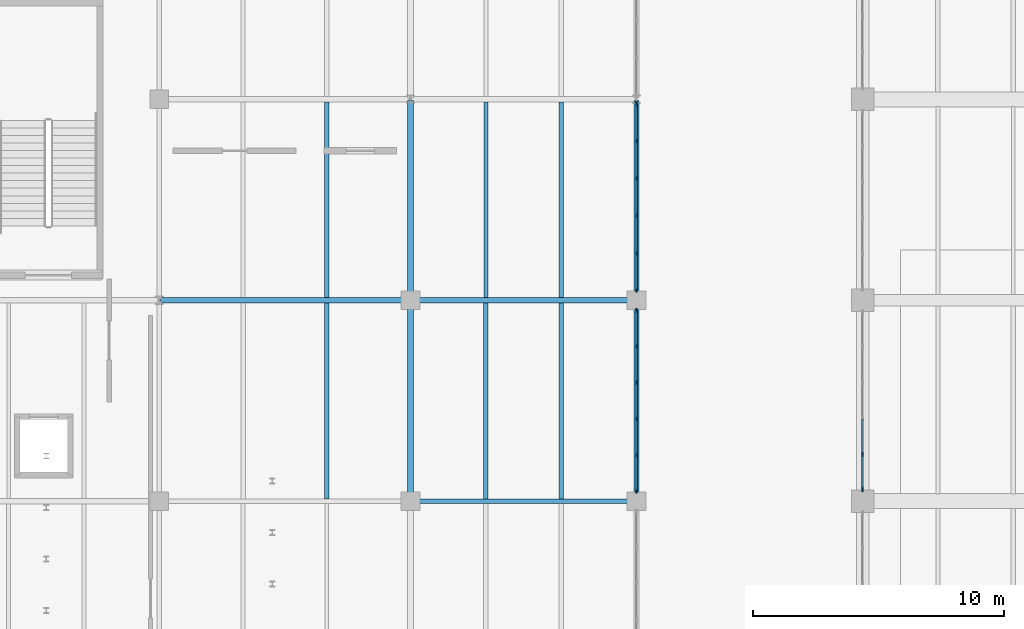
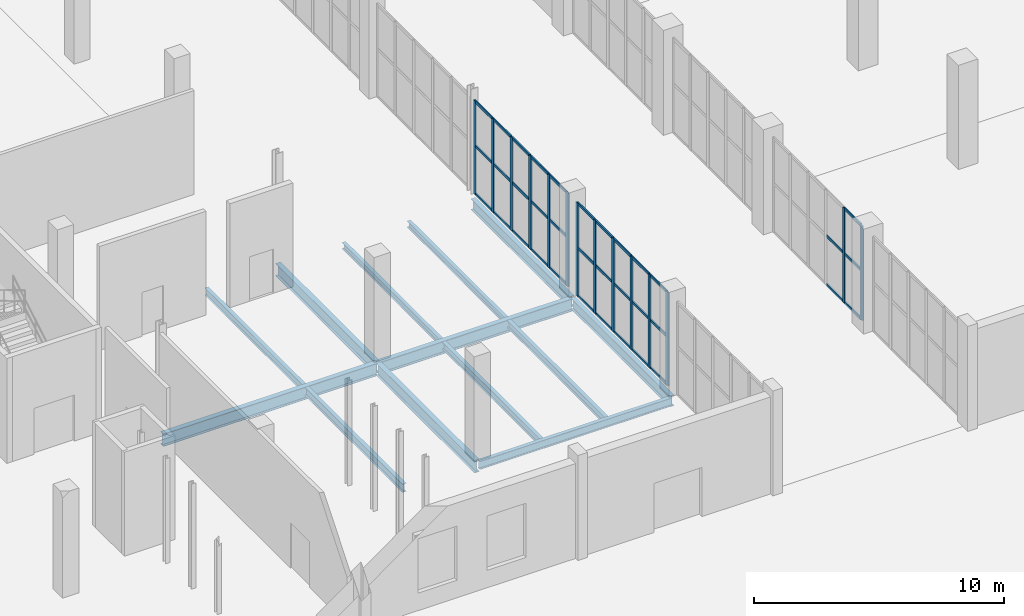
# One storey, part 31 of 103: 49 members, 13 beams, 3 elements without a shape of their own.
"""IFC4 building model written with IfcOpenShell, lengths in metres."""

from ifc_helpers import new_model, si_unit, direction, frame, origin, origin_2d, place, context, subcontext, project, spatial, rectangle, i_section, extrude, material, layer, layer_set, material_profile, profile_set, type_object, element, aggregate, save


model = new_model("IFC4")

# Units and contexts
model_context = context("Model", 3, precision=1e-05, world=origin(), true_north=direction((0.0, 1.0)))
body_context = subcontext(model_context, "Body", "Model", "MODEL_VIEW")
ifc_project = project(units=[si_unit("LENGTHUNIT", "METRE"), si_unit("AREAUNIT", "SQUARE_METRE"), si_unit("VOLUMEUNIT", "CUBIC_METRE"), si_unit("PLANEANGLEUNIT", "RADIAN"), si_unit("MASSUNIT", "GRAM", prefix="KILO")], contexts=[model_context])

# Site, building, storey
site_placement = place(None, origin())
site = spatial("IfcSite", under=ifc_project, at=site_placement, CompositionType="ELEMENT")
building_placement = place(site_placement, origin())
building = spatial("IfcBuilding", under=site, at=building_placement, Name="Marnock Terrace Opera House", CompositionType="ELEMENT")
storey_placement = place(building_placement, origin())
storey = spatial("IfcBuildingStorey", under=building, at=storey_placement, Name="L00", CompositionType="ELEMENT", Elevation=0.0)

# Beams
ifc_material_1 = material(Name="Steel Grade 350 (AS/NZS 3679.1)", Category="steel")
ifc_material_profile_1 = material_profile(ifc_material_1, i_section(OverallWidth=0.177978515625, OverallDepth=0.402587890625, WebThickness=0.007568359375, FlangeThickness=0.010986328125, FilletRadius=0.011474609375, at=origin_2d()))
ifc_profile_set_1 = profile_set([ifc_material_profile_1], Name="Steel Grade 350 (AS/NZS 3679.1)")
beam_type_1 = type_object("IfcBeamType", Name="BM-GIRD-410", PredefinedType="BEAM", material=ifc_profile_set_1)
beam_1_placement = place(storey_placement, frame((37.050048828125, 16.0, -0.501220703125), z_axis=(1.0, 0.0, 0.0), x_axis=(0.0, 1.0, 0.0)))
element("IfcBeam", 1, at=beam_1_placement, inside=storey, type_object=beam_type_1, Name="L00 girder (37.0..46.0, Y=16.0)", PredefinedType="BEAM", context=body_context, shape_type="SweptSolid", body=[
    extrude(i_section(OverallWidth=0.177978515625, OverallDepth=0.402587890625, WebThickness=0.007568359375, FlangeThickness=0.010986328125, FilletRadius=0.011474609375, at=origin_2d()), origin(), (0.0, 0.0, 1.0), 8.89990234375),
])
ifc_material_profile_2 = material_profile(ifc_material_1, i_section(OverallWidth=0.208984375, OverallDepth=0.528076171875, WebThickness=0.009521484375, FlangeThickness=0.01318359375, FilletRadius=0.013916015625, at=origin_2d()))
ifc_profile_set_2 = profile_set([ifc_material_profile_2], Name="Steel Grade 350 (AS/NZS 3679.1)")
beam_type_2 = type_object("IfcBeamType", Name="BM-GIRD-530B", PredefinedType="BEAM", material=ifc_profile_set_2)
for number, where, z_axis, x_axis, name in (
    (2, (46.0, 16.050048828125, -0.56396484375), (0.0, 1.0, 0.0), (-1.0, 0.0, 0.0), "L00 girder (X=46.0, 16.0..24.0)"),
    (3, (46.0, 24.050048828125, -0.56396484375), (0.0, 1.0, 0.0), (-1.0, 0.0, 0.0), "L00 girder (X=46.0, 24.0..32.0)"),
):
    element("IfcBeam", number, at=place(storey_placement, frame(where, z_axis=z_axis, x_axis=x_axis)), inside=storey, type_object=beam_type_2, Name=name, PredefinedType="BEAM", context=body_context, shape_type="SweptSolid", body=[
        extrude(i_section(OverallWidth=0.208984375, OverallDepth=0.528076171875, WebThickness=0.009521484375, FlangeThickness=0.01318359375, FilletRadius=0.013916015625, at=origin_2d()), origin(), (0.0, 0.0, 1.0), 7.89990234375),
    ])
ifc_material_profile_3 = material_profile(ifc_material_1, i_section(OverallWidth=0.22900390625, OverallDepth=0.611572265625, WebThickness=0.011962890625, FlangeThickness=0.01953125, FilletRadius=0.013916015625, at=origin_2d()))
ifc_profile_set_3 = profile_set([ifc_material_profile_3], Name="Steel Grade 350 (AS/NZS 3679.1)")
beam_type_3 = type_object("IfcBeamType", Name="BM-GIRD-610A", PredefinedType="BEAM", material=ifc_profile_set_3)
beam_2_placement = place(storey_placement, frame((27.050048828125, 24.0, -0.605712890625), z_axis=(1.0, 0.0, 0.0), x_axis=(0.0, 1.0, 0.0)))
element("IfcBeam", 4, at=beam_2_placement, inside=storey, type_object=beam_type_3, Name="L00 girder (27.0..37.0, Y=24.0)", PredefinedType="BEAM", context=body_context, shape_type="SweptSolid", body=[
    extrude(i_section(OverallWidth=0.22900390625, OverallDepth=0.611572265625, WebThickness=0.011962890625, FlangeThickness=0.01953125, FilletRadius=0.013916015625, at=origin_2d()), origin(), (0.0, 0.0, 1.0), 9.89990234375),
])
beam_3_placement = place(storey_placement, frame((37.050048828125, 24.0, -0.605712890625), z_axis=(1.0, 0.0, 0.0), x_axis=(0.0, 1.0, 0.0)))
element("IfcBeam", 5, at=beam_3_placement, inside=storey, type_object=beam_type_3, Name="L00 girder (37.0..46.0, Y=24.0)", PredefinedType="BEAM", context=body_context, shape_type="SweptSolid", body=[
    extrude(i_section(OverallWidth=0.22900390625, OverallDepth=0.611572265625, WebThickness=0.011962890625, FlangeThickness=0.01953125, FilletRadius=0.013916015625, at=origin_2d()), origin(), (0.0, 0.0, 1.0), 8.89990234375),
])
ifc_material_profile_4 = material_profile(ifc_material_1, i_section(OverallWidth=0.22802734375, OverallDepth=0.60205078125, WebThickness=0.010498046875, FlangeThickness=0.014892578125, FilletRadius=0.013916015625, at=origin_2d()))
ifc_profile_set_4 = profile_set([ifc_material_profile_4], Name="Steel Grade 350 (AS/NZS 3679.1)")
beam_type_4 = type_object("IfcBeamType", Name="BM-GIRD-610C", PredefinedType="BEAM", material=ifc_profile_set_4)
for number, where, z_axis, x_axis, name in (
    (6, (37.0, 16.050048828125, -0.60107421875), (0.0, 1.0, 0.0), (-1.0, 0.0, 0.0), "L00 girder (X=37.0, 16.0..24.0)"),
    (7, (37.0, 24.050048828125, -0.60107421875), (0.0, 1.0, 0.0), (-1.0, 0.0, 0.0), "L00 girder (X=37.0, 24.0..32.0)"),
):
    element("IfcBeam", number, at=place(storey_placement, frame(where, z_axis=z_axis, x_axis=x_axis)), inside=storey, type_object=beam_type_4, Name=name, PredefinedType="BEAM", context=body_context, shape_type="SweptSolid", body=[
        extrude(i_section(OverallWidth=0.22802734375, OverallDepth=0.60205078125, WebThickness=0.010498046875, FlangeThickness=0.014892578125, FilletRadius=0.013916015625, at=origin_2d()), origin(), (0.0, 0.0, 1.0), 7.89990234375),
    ])
ifc_material_profile_5 = material_profile(ifc_material_1, i_section(OverallWidth=0.166015625, OverallDepth=0.30712890625, WebThickness=0.006591796875, FlangeThickness=0.01171875, FilletRadius=0.011474609375, at=origin_2d()))
ifc_profile_set_5 = profile_set([ifc_material_profile_5], Name="Steel Grade 350 (AS/NZS 3679.1)")
beam_type_5 = type_object("IfcBeamType", Name="BM-JOIST-310A", PredefinedType="JOIST", material=ifc_profile_set_5)
for number, where, z_axis, x_axis, name in (
    (8, (40.0, 24.109619140625, -0.45361328125), (0.0, 1.0, 0.0), (-1.0, 0.0, 0.0), "L00 secondary joist 4.3.1"),
    (9, (43.0, 24.109619140625, -0.45361328125), (0.0, 1.0, 0.0), (-1.0, 0.0, 0.0), "L00 secondary joist 4.3.2"),
):
    element("IfcBeam", number, at=place(storey_placement, frame(where, z_axis=z_axis, x_axis=x_axis)), inside=storey, type_object=beam_type_5, Name=name, PredefinedType="JOIST", context=body_context, shape_type="SweptSolid", body=[
        extrude(i_section(OverallWidth=0.166015625, OverallDepth=0.30712890625, WebThickness=0.006591796875, FlangeThickness=0.01171875, FilletRadius=0.011474609375, at=origin_2d()), origin(), (0.0, 0.0, 1.0), 7.781494140625),
    ])
ifc_material_profile_6 = material_profile(ifc_material_1, i_section(OverallWidth=0.172119140625, OverallDepth=0.358642578125, WebThickness=0.008056640625, FlangeThickness=0.012939453125, FilletRadius=0.011474609375, at=origin_2d()))
ifc_profile_set_6 = profile_set([ifc_material_profile_6], Name="Steel Grade 350 (AS/NZS 3679.1)")
beam_type_6 = type_object("IfcBeamType", Name="BM-JOIST-360", PredefinedType="JOIST", material=ifc_profile_set_6)
beam_4_placement = place(storey_placement, frame((33.666748046875, 24.109619140625, -0.479248046875), z_axis=(0.0, 1.0, 0.0), x_axis=(-1.0, 0.0, 0.0)))
element("IfcBeam", 10, at=beam_4_placement, inside=storey, type_object=beam_type_6, Name="L00 secondary joist 3.3.2", PredefinedType="JOIST", context=body_context, shape_type="SweptSolid", body=[
    extrude(i_section(OverallWidth=0.172119140625, OverallDepth=0.358642578125, WebThickness=0.008056640625, FlangeThickness=0.012939453125, FilletRadius=0.011474609375, at=origin_2d()), origin(), (0.0, 0.0, 1.0), 7.781494140625),
])
for number, where, z_axis, x_axis, name in (
    (11, (40.0, 16.083984375, -0.479248046875), (0.0, 1.0, 0.0), (-1.0, 0.0, 0.0), "L00 secondary joist 4.2.1"),
    (12, (43.0, 16.083984375, -0.479248046875), (0.0, 1.0, 0.0), (-1.0, 0.0, 0.0), "L00 secondary joist 4.2.2"),
):
    element("IfcBeam", number, at=place(storey_placement, frame(where, z_axis=z_axis, x_axis=x_axis)), inside=storey, type_object=beam_type_6, Name=name, PredefinedType="JOIST", context=body_context, shape_type="SweptSolid", body=[
        extrude(i_section(OverallWidth=0.172119140625, OverallDepth=0.358642578125, WebThickness=0.008056640625, FlangeThickness=0.012939453125, FilletRadius=0.011474609375, at=origin_2d()), origin(), (0.0, 0.0, 1.0), 7.806396484375),
    ])
ifc_material_profile_7 = material_profile(ifc_material_1, i_section(OverallWidth=0.177978515625, OverallDepth=0.406494140625, WebThickness=0.0078125, FlangeThickness=0.0126953125, FilletRadius=0.011474609375, at=origin_2d()))
ifc_profile_set_7 = profile_set([ifc_material_profile_7], Name="Steel Grade 350 (AS/NZS 3679.1)")
beam_type_7 = type_object("IfcBeamType", Name="BM-JOIST-410", PredefinedType="JOIST", material=ifc_profile_set_7)
beam_5_placement = place(storey_placement, frame((33.666748046875, 16.083984375, -0.503173828125), z_axis=(0.0, 1.0, 0.0), x_axis=(-1.0, 0.0, 0.0)))
element("IfcBeam", 13, at=beam_5_placement, inside=storey, type_object=beam_type_7, Name="L00 secondary joist 3.2.2", PredefinedType="JOIST", context=body_context, shape_type="SweptSolid", body=[
    extrude(i_section(OverallWidth=0.177978515625, OverallDepth=0.406494140625, WebThickness=0.0078125, FlangeThickness=0.0126953125, FilletRadius=0.011474609375, at=origin_2d()), origin(), (0.0, 0.0, 1.0), 7.806396484375),
])

# Curtain wall, members
ifc_material_2 = material(Name="Anodised architectural bronze aluminium framing", Category="aluminium")
ifc_layer_1 = layer(ifc_material_2, 0.159912109375)
ifc_layer_set_1 = layer_set([ifc_layer_1], Name="Anodised architectural bronze aluminium framing")
curtain_wall_type_1 = type_object("IfcCurtainWallType", Name="CW-FOYER-80x51", PredefinedType="NOTDEFINED", material=ifc_layer_set_1)
curtain_wall_1_placement = place(storey_placement, origin())
curtain_wall_1 = element("IfcCurtainWall", 14, at=curtain_wall_1_placement, inside=storey, type_object=curtain_wall_type_1, Name="L00 glazed Beaux-Arts colonnade curtain wall CW-V1W-L00-02", PredefinedType="NOTDEFINED")
ifc_material_profile_8 = material_profile(ifc_material_2, rectangle(XDim=0.06494140625, YDim=0.179931640625, at=origin_2d()))
ifc_profile_set_8 = profile_set([ifc_material_profile_8], Name="Anodised architectural bronze aluminium framing")
member_type_1 = type_object("IfcMemberType", Name="CWM-65x180", PredefinedType="MULLION", material=ifc_profile_set_8)
member_1_placement = place(storey_placement, frame((55.0, 16.47607421875, 0.0), z_axis=(0.0, 0.0, 1.0), x_axis=(-1.0, 0.0, 0.0)))
member_1 = element("IfcMember", 15, at=member_1_placement, type_object=member_type_1, Name="CW-73 mullion 1", PredefinedType="MULLION", context=body_context, shape_type="SweptSolid", body=[
    extrude(rectangle(XDim=0.06494140625, YDim=0.179931640625, at=origin_2d()), origin(), (0.0, 0.0, 1.0), 4.632568359375),
])
member_2_placement = place(storey_placement, frame((55.0, 17.86767578125, 0.0), z_axis=(0.0, 0.0, 1.0), x_axis=(-1.0, 0.0, 0.0)))
member_2 = element("IfcMember", 16, at=member_2_placement, type_object=member_type_1, Name="CW-73 mullion 2", PredefinedType="MULLION", context=body_context, shape_type="SweptSolid", body=[
    extrude(rectangle(XDim=0.06494140625, YDim=0.179931640625, at=origin_2d()), origin(), (0.0, 0.0, 1.0), 4.632568359375),
])

ifc_layer_2 = layer(ifc_material_2, 0.159912109375)
ifc_layer_set_2 = layer_set([ifc_layer_2], Name="Anodised architectural bronze aluminium framing")
curtain_wall_type_2 = type_object("IfcCurtainWallType", Name="CW-COURT-80x51", PredefinedType="NOTDEFINED", material=ifc_layer_set_2)
curtain_wall_2_placement = place(storey_placement, origin())
curtain_wall_2 = element("IfcCurtainWall", 17, at=curtain_wall_2_placement, inside=storey, type_object=curtain_wall_type_2, Name="L00 glazed Beaux-Arts colonnade curtain wall CW-V3E-L00-02", PredefinedType="NOTDEFINED")
member_3_placement = place(storey_placement, frame((46.0, 16.40087890625, 0.0), z_axis=(0.0, 0.0, 1.0), x_axis=(-1.0, 0.0, 0.0)))
member_3 = element("IfcMember", 18, at=member_3_placement, type_object=member_type_1, Name="CW-114 mullion 1", PredefinedType="MULLION", context=body_context, shape_type="SweptSolid", body=[
    extrude(rectangle(XDim=0.06494140625, YDim=0.179931640625, at=origin_2d()), origin(), (0.0, 0.0, 1.0), 4.56201171875),
])
member_4_placement = place(storey_placement, frame((46.0, 17.822509765625, 0.0), z_axis=(0.0, 0.0, 1.0), x_axis=(-1.0, 0.0, 0.0)))
member_4 = element("IfcMember", 19, at=member_4_placement, type_object=member_type_1, Name="CW-114 mullion 2", PredefinedType="MULLION", context=body_context, shape_type="SweptSolid", body=[
    extrude(rectangle(XDim=0.06494140625, YDim=0.179931640625, at=origin_2d()), origin(), (0.0, 0.0, 1.0), 4.56201171875),
])
member_5_placement = place(storey_placement, frame((46.0, 19.274169921875, 0.0), z_axis=(0.0, 0.0, 1.0), x_axis=(-1.0, 0.0, 0.0)))
member_5 = element("IfcMember", 20, at=member_5_placement, type_object=member_type_1, Name="CW-114 mullion 3", PredefinedType="MULLION", context=body_context, shape_type="SweptSolid", body=[
    extrude(rectangle(XDim=0.06494140625, YDim=0.179931640625, at=origin_2d()), origin(), (0.0, 0.0, 1.0), 4.56201171875),
])
member_6_placement = place(storey_placement, frame((46.0, 20.725830078125, 0.0), z_axis=(0.0, 0.0, 1.0), x_axis=(-1.0, 0.0, 0.0)))
member_6 = element("IfcMember", 21, at=member_6_placement, type_object=member_type_1, Name="CW-114 mullion 4", PredefinedType="MULLION", context=body_context, shape_type="SweptSolid", body=[
    extrude(rectangle(XDim=0.06494140625, YDim=0.179931640625, at=origin_2d()), origin(), (0.0, 0.0, 1.0), 4.56201171875),
])
member_7_placement = place(storey_placement, frame((46.0, 22.177490234375, 0.0), z_axis=(0.0, 0.0, 1.0), x_axis=(-1.0, 0.0, 0.0)))
member_7 = element("IfcMember", 22, at=member_7_placement, type_object=member_type_1, Name="CW-114 mullion 5", PredefinedType="MULLION", context=body_context, shape_type="SweptSolid", body=[
    extrude(rectangle(XDim=0.06494140625, YDim=0.179931640625, at=origin_2d()), origin(), (0.0, 0.0, 1.0), 4.56201171875),
])
member_8_placement = place(storey_placement, frame((46.0, 23.59912109375, 0.0), z_axis=(0.0, 0.0, 1.0), x_axis=(-1.0, 0.0, 0.0)))
member_8 = element("IfcMember", 23, at=member_8_placement, type_object=member_type_1, Name="CW-114 mullion 6", PredefinedType="MULLION", context=body_context, shape_type="SweptSolid", body=[
    extrude(rectangle(XDim=0.06494140625, YDim=0.179931640625, at=origin_2d()), origin(), (0.0, 0.0, 1.0), 4.56201171875),
])

curtain_wall_3_placement = place(storey_placement, origin())
curtain_wall_3 = element("IfcCurtainWall", 24, at=curtain_wall_3_placement, inside=storey, type_object=curtain_wall_type_2, Name="L00 glazed Beaux-Arts colonnade curtain wall CW-V3E-L00-03", PredefinedType="NOTDEFINED")
member_9_placement = place(storey_placement, frame((46.0, 24.40087890625, 0.0), z_axis=(0.0, 0.0, 1.0), x_axis=(-1.0, 0.0, 0.0)))
member_9 = element("IfcMember", 25, at=member_9_placement, type_object=member_type_1, Name="CW-114 mullion 1", PredefinedType="MULLION", context=body_context, shape_type="SweptSolid", body=[
    extrude(rectangle(XDim=0.06494140625, YDim=0.179931640625, at=origin_2d()), origin(), (0.0, 0.0, 1.0), 4.56201171875),
])
member_10_placement = place(storey_placement, frame((46.0, 25.864990234375, 0.0), z_axis=(0.0, 0.0, 1.0), x_axis=(-1.0, 0.0, 0.0)))
member_10 = element("IfcMember", 26, at=member_10_placement, type_object=member_type_1, Name="CW-114 mullion 2", PredefinedType="MULLION", context=body_context, shape_type="SweptSolid", body=[
    extrude(rectangle(XDim=0.06494140625, YDim=0.179931640625, at=origin_2d()), origin(), (0.0, 0.0, 1.0), 4.56201171875),
])
member_11_placement = place(storey_placement, frame((46.0, 27.358642578125, 0.0), z_axis=(0.0, 0.0, 1.0), x_axis=(-1.0, 0.0, 0.0)))
member_11 = element("IfcMember", 27, at=member_11_placement, type_object=member_type_1, Name="CW-114 mullion 3", PredefinedType="MULLION", context=body_context, shape_type="SweptSolid", body=[
    extrude(rectangle(XDim=0.06494140625, YDim=0.179931640625, at=origin_2d()), origin(), (0.0, 0.0, 1.0), 4.56201171875),
])
member_12_placement = place(storey_placement, frame((46.0, 28.8525390625, 0.0), z_axis=(0.0, 0.0, 1.0), x_axis=(-1.0, 0.0, 0.0)))
member_12 = element("IfcMember", 28, at=member_12_placement, type_object=member_type_1, Name="CW-114 mullion 4", PredefinedType="MULLION", context=body_context, shape_type="SweptSolid", body=[
    extrude(rectangle(XDim=0.06494140625, YDim=0.179931640625, at=origin_2d()), origin(), (0.0, 0.0, 1.0), 4.56201171875),
])
member_13_placement = place(storey_placement, frame((46.0, 30.346435546875, 0.0), z_axis=(0.0, 0.0, 1.0), x_axis=(-1.0, 0.0, 0.0)))
member_13 = element("IfcMember", 29, at=member_13_placement, type_object=member_type_1, Name="CW-114 mullion 5", PredefinedType="MULLION", context=body_context, shape_type="SweptSolid", body=[
    extrude(rectangle(XDim=0.06494140625, YDim=0.179931640625, at=origin_2d()), origin(), (0.0, 0.0, 1.0), 4.56201171875),
])
member_14_placement = place(storey_placement, frame((46.0, 31.810302734375, 0.0), z_axis=(0.0, 0.0, 1.0), x_axis=(-1.0, 0.0, 0.0)))
member_14 = element("IfcMember", 30, at=member_14_placement, type_object=member_type_1, Name="CW-114 mullion 6", PredefinedType="MULLION", context=body_context, shape_type="SweptSolid", body=[
    extrude(rectangle(XDim=0.06494140625, YDim=0.179931640625, at=origin_2d()), origin(), (0.0, 0.0, 1.0), 4.56201171875),
])

# Member
ifc_material_profile_9 = material_profile(ifc_material_2, rectangle(XDim=0.06005859375, YDim=0.1298828125, at=origin_2d()))
ifc_profile_set_9 = profile_set([ifc_material_profile_9], Name="Anodised architectural bronze aluminium framing")
member_type_2 = type_object("IfcMemberType", Name="CWT-60x130", PredefinedType="USERDEFINED", material=ifc_profile_set_9)
member_15_placement = place(storey_placement, frame((55.0, 16.506103515625, 0.030029296875), z_axis=(0.0, 1.0, 0.0), x_axis=(-1.0, 0.0, 0.0)))
member_15 = element("IfcMember", 31, at=member_15_placement, type_object=member_type_2, Name="CW-73 transom 1.1", ObjectType="TRANSOM", PredefinedType="USERDEFINED", context=body_context, shape_type="SweptSolid", body=[
    extrude(rectangle(XDim=0.06005859375, YDim=0.1298828125, at=origin_2d()), origin(), (0.0, 0.0, 1.0), 1.33154296875),
])

member_16_placement = place(storey_placement, frame((55.0, 16.506103515625, 2.408935546875), z_axis=(0.0, 1.0, 0.0), x_axis=(-1.0, 0.0, 0.0)))
member_16 = element("IfcMember", 32, at=member_16_placement, type_object=member_type_2, Name="CW-73 transom 1.2", ObjectType="TRANSOM", PredefinedType="USERDEFINED", context=body_context, shape_type="SweptSolid", body=[
    extrude(rectangle(XDim=0.06005859375, YDim=0.1298828125, at=origin_2d()), origin(), (0.0, 0.0, 1.0), 1.33154296875),
])

member_17_placement = place(storey_placement, frame((55.0, 16.506103515625, 4.6025390625), z_axis=(0.0, 1.0, 0.0), x_axis=(-1.0, 0.0, 0.0)))
member_17 = element("IfcMember", 33, at=member_17_placement, type_object=member_type_2, Name="CW-73 transom 1.3", ObjectType="TRANSOM", PredefinedType="USERDEFINED", context=body_context, shape_type="SweptSolid", body=[
    extrude(rectangle(XDim=0.06005859375, YDim=0.1298828125, at=origin_2d()), origin(), (0.0, 0.0, 1.0), 1.33154296875),
])

member_18_placement = place(storey_placement, frame((55.0, 17.897705078125, 0.030029296875), z_axis=(0.0, 1.0, 0.0), x_axis=(-1.0, 0.0, 0.0)))
member_18 = element("IfcMember", 34, at=member_18_placement, type_object=member_type_2, Name="CW-73 transom 2.1", ObjectType="TRANSOM", PredefinedType="USERDEFINED", context=body_context, shape_type="SweptSolid", body=[
    extrude(rectangle(XDim=0.06005859375, YDim=0.1298828125, at=origin_2d()), origin(), (0.0, 0.0, 1.0), 1.361572265625),
])

member_19_placement = place(storey_placement, frame((55.0, 17.897705078125, 2.408935546875), z_axis=(0.0, 1.0, 0.0), x_axis=(-1.0, 0.0, 0.0)))
member_19 = element("IfcMember", 35, at=member_19_placement, type_object=member_type_2, Name="CW-73 transom 2.2", ObjectType="TRANSOM", PredefinedType="USERDEFINED", context=body_context, shape_type="SweptSolid", body=[
    extrude(rectangle(XDim=0.06005859375, YDim=0.1298828125, at=origin_2d()), origin(), (0.0, 0.0, 1.0), 1.361572265625),
])

aggregate(curtain_wall_1, [member_1, member_2, member_15, member_16, member_17, member_18, member_19])

member_20_placement = place(storey_placement, frame((46.0, 16.430908203125, 0.030029296875), z_axis=(0.0, 1.0, 0.0), x_axis=(-1.0, 0.0, 0.0)))
member_20 = element("IfcMember", 36, at=member_20_placement, type_object=member_type_2, Name="CW-114 transom 1.1", ObjectType="TRANSOM", PredefinedType="USERDEFINED", context=body_context, shape_type="SweptSolid", body=[
    extrude(rectangle(XDim=0.06005859375, YDim=0.1298828125, at=origin_2d()), origin(), (0.0, 0.0, 1.0), 1.361572265625),
])

member_21_placement = place(storey_placement, frame((46.0, 16.430908203125, 2.372314453125), z_axis=(0.0, 1.0, 0.0), x_axis=(-1.0, 0.0, 0.0)))
member_21 = element("IfcMember", 37, at=member_21_placement, type_object=member_type_2, Name="CW-114 transom 1.2", ObjectType="TRANSOM", PredefinedType="USERDEFINED", context=body_context, shape_type="SweptSolid", body=[
    extrude(rectangle(XDim=0.06005859375, YDim=0.1298828125, at=origin_2d()), origin(), (0.0, 0.0, 1.0), 1.361572265625),
])

member_22_placement = place(storey_placement, frame((46.0, 16.430908203125, 4.531982421875), z_axis=(0.0, 1.0, 0.0), x_axis=(-1.0, 0.0, 0.0)))
member_22 = element("IfcMember", 38, at=member_22_placement, type_object=member_type_2, Name="CW-114 transom 1.3", ObjectType="TRANSOM", PredefinedType="USERDEFINED", context=body_context, shape_type="SweptSolid", body=[
    extrude(rectangle(XDim=0.06005859375, YDim=0.1298828125, at=origin_2d()), origin(), (0.0, 0.0, 1.0), 1.361572265625),
])

member_23_placement = place(storey_placement, frame((46.0, 17.8525390625, 0.030029296875), z_axis=(0.0, 1.0, 0.0), x_axis=(-1.0, 0.0, 0.0)))
member_23 = element("IfcMember", 39, at=member_23_placement, type_object=member_type_2, Name="CW-114 transom 2.1", ObjectType="TRANSOM", PredefinedType="USERDEFINED", context=body_context, shape_type="SweptSolid", body=[
    extrude(rectangle(XDim=0.06005859375, YDim=0.1298828125, at=origin_2d()), origin(), (0.0, 0.0, 1.0), 1.3916015625),
])

member_24_placement = place(storey_placement, frame((46.0, 17.8525390625, 2.372314453125), z_axis=(0.0, 1.0, 0.0), x_axis=(-1.0, 0.0, 0.0)))
member_24 = element("IfcMember", 40, at=member_24_placement, type_object=member_type_2, Name="CW-114 transom 2.2", ObjectType="TRANSOM", PredefinedType="USERDEFINED", context=body_context, shape_type="SweptSolid", body=[
    extrude(rectangle(XDim=0.06005859375, YDim=0.1298828125, at=origin_2d()), origin(), (0.0, 0.0, 1.0), 1.3916015625),
])

member_25_placement = place(storey_placement, frame((46.0, 17.8525390625, 4.531982421875), z_axis=(0.0, 1.0, 0.0), x_axis=(-1.0, 0.0, 0.0)))
member_25 = element("IfcMember", 41, at=member_25_placement, type_object=member_type_2, Name="CW-114 transom 2.3", ObjectType="TRANSOM", PredefinedType="USERDEFINED", context=body_context, shape_type="SweptSolid", body=[
    extrude(rectangle(XDim=0.06005859375, YDim=0.1298828125, at=origin_2d()), origin(), (0.0, 0.0, 1.0), 1.3916015625),
])

member_26_placement = place(storey_placement, frame((46.0, 19.30419921875, 0.030029296875), z_axis=(0.0, 1.0, 0.0), x_axis=(-1.0, 0.0, 0.0)))
member_26 = element("IfcMember", 42, at=member_26_placement, type_object=member_type_2, Name="CW-114 transom 3.1", ObjectType="TRANSOM", PredefinedType="USERDEFINED", context=body_context, shape_type="SweptSolid", body=[
    extrude(rectangle(XDim=0.06005859375, YDim=0.1298828125, at=origin_2d()), origin(), (0.0, 0.0, 1.0), 1.3916015625),
])

member_27_placement = place(storey_placement, frame((46.0, 19.30419921875, 2.372314453125), z_axis=(0.0, 1.0, 0.0), x_axis=(-1.0, 0.0, 0.0)))
member_27 = element("IfcMember", 43, at=member_27_placement, type_object=member_type_2, Name="CW-114 transom 3.2", ObjectType="TRANSOM", PredefinedType="USERDEFINED", context=body_context, shape_type="SweptSolid", body=[
    extrude(rectangle(XDim=0.06005859375, YDim=0.1298828125, at=origin_2d()), origin(), (0.0, 0.0, 1.0), 1.3916015625),
])

member_28_placement = place(storey_placement, frame((46.0, 19.30419921875, 4.531982421875), z_axis=(0.0, 1.0, 0.0), x_axis=(-1.0, 0.0, 0.0)))
member_28 = element("IfcMember", 44, at=member_28_placement, type_object=member_type_2, Name="CW-114 transom 3.3", ObjectType="TRANSOM", PredefinedType="USERDEFINED", context=body_context, shape_type="SweptSolid", body=[
    extrude(rectangle(XDim=0.06005859375, YDim=0.1298828125, at=origin_2d()), origin(), (0.0, 0.0, 1.0), 1.3916015625),
])

member_29_placement = place(storey_placement, frame((46.0, 20.755859375, 0.030029296875), z_axis=(0.0, 1.0, 0.0), x_axis=(-1.0, 0.0, 0.0)))
member_29 = element("IfcMember", 45, at=member_29_placement, type_object=member_type_2, Name="CW-114 transom 4.1", ObjectType="TRANSOM", PredefinedType="USERDEFINED", context=body_context, shape_type="SweptSolid", body=[
    extrude(rectangle(XDim=0.06005859375, YDim=0.1298828125, at=origin_2d()), origin(), (0.0, 0.0, 1.0), 1.3916015625),
])

member_30_placement = place(storey_placement, frame((46.0, 20.755859375, 2.372314453125), z_axis=(0.0, 1.0, 0.0), x_axis=(-1.0, 0.0, 0.0)))
member_30 = element("IfcMember", 46, at=member_30_placement, type_object=member_type_2, Name="CW-114 transom 4.2", ObjectType="TRANSOM", PredefinedType="USERDEFINED", context=body_context, shape_type="SweptSolid", body=[
    extrude(rectangle(XDim=0.06005859375, YDim=0.1298828125, at=origin_2d()), origin(), (0.0, 0.0, 1.0), 1.3916015625),
])

member_31_placement = place(storey_placement, frame((46.0, 20.755859375, 4.531982421875), z_axis=(0.0, 1.0, 0.0), x_axis=(-1.0, 0.0, 0.0)))
member_31 = element("IfcMember", 47, at=member_31_placement, type_object=member_type_2, Name="CW-114 transom 4.3", ObjectType="TRANSOM", PredefinedType="USERDEFINED", context=body_context, shape_type="SweptSolid", body=[
    extrude(rectangle(XDim=0.06005859375, YDim=0.1298828125, at=origin_2d()), origin(), (0.0, 0.0, 1.0), 1.3916015625),
])

member_32_placement = place(storey_placement, frame((46.0, 22.20751953125, 0.030029296875), z_axis=(0.0, 1.0, 0.0), x_axis=(-1.0, 0.0, 0.0)))
member_32 = element("IfcMember", 48, at=member_32_placement, type_object=member_type_2, Name="CW-114 transom 5.1", ObjectType="TRANSOM", PredefinedType="USERDEFINED", context=body_context, shape_type="SweptSolid", body=[
    extrude(rectangle(XDim=0.06005859375, YDim=0.1298828125, at=origin_2d()), origin(), (0.0, 0.0, 1.0), 1.361572265625),
])

member_33_placement = place(storey_placement, frame((46.0, 22.20751953125, 2.372314453125), z_axis=(0.0, 1.0, 0.0), x_axis=(-1.0, 0.0, 0.0)))
member_33 = element("IfcMember", 49, at=member_33_placement, type_object=member_type_2, Name="CW-114 transom 5.2", ObjectType="TRANSOM", PredefinedType="USERDEFINED", context=body_context, shape_type="SweptSolid", body=[
    extrude(rectangle(XDim=0.06005859375, YDim=0.1298828125, at=origin_2d()), origin(), (0.0, 0.0, 1.0), 1.361572265625),
])

member_34_placement = place(storey_placement, frame((46.0, 22.20751953125, 4.531982421875), z_axis=(0.0, 1.0, 0.0), x_axis=(-1.0, 0.0, 0.0)))
member_34 = element("IfcMember", 50, at=member_34_placement, type_object=member_type_2, Name="CW-114 transom 5.3", ObjectType="TRANSOM", PredefinedType="USERDEFINED", context=body_context, shape_type="SweptSolid", body=[
    extrude(rectangle(XDim=0.06005859375, YDim=0.1298828125, at=origin_2d()), origin(), (0.0, 0.0, 1.0), 1.361572265625),
])

aggregate(curtain_wall_2, [member_3, member_4, member_5, member_6, member_7, member_8, member_20, member_21, member_22, member_23, member_24, member_25, member_26, member_27, member_28, member_29, member_30, member_31, member_32, member_33, member_34])

member_35_placement = place(storey_placement, frame((46.0, 24.430908203125, 0.030029296875), z_axis=(0.0, 1.0, 0.0), x_axis=(-1.0, 0.0, 0.0)))
member_35 = element("IfcMember", 51, at=member_35_placement, type_object=member_type_2, Name="CW-114 transom 1.1", ObjectType="TRANSOM", PredefinedType="USERDEFINED", context=body_context, shape_type="SweptSolid", body=[
    extrude(rectangle(XDim=0.06005859375, YDim=0.1298828125, at=origin_2d()), origin(), (0.0, 0.0, 1.0), 1.404052734375),
])

member_36_placement = place(storey_placement, frame((46.0, 24.430908203125, 2.372314453125), z_axis=(0.0, 1.0, 0.0), x_axis=(-1.0, 0.0, 0.0)))
member_36 = element("IfcMember", 52, at=member_36_placement, type_object=member_type_2, Name="CW-114 transom 1.2", ObjectType="TRANSOM", PredefinedType="USERDEFINED", context=body_context, shape_type="SweptSolid", body=[
    extrude(rectangle(XDim=0.06005859375, YDim=0.1298828125, at=origin_2d()), origin(), (0.0, 0.0, 1.0), 1.404052734375),
])

member_37_placement = place(storey_placement, frame((46.0, 24.430908203125, 4.531982421875), z_axis=(0.0, 1.0, 0.0), x_axis=(-1.0, 0.0, 0.0)))
member_37 = element("IfcMember", 53, at=member_37_placement, type_object=member_type_2, Name="CW-114 transom 1.3", ObjectType="TRANSOM", PredefinedType="USERDEFINED", context=body_context, shape_type="SweptSolid", body=[
    extrude(rectangle(XDim=0.06005859375, YDim=0.1298828125, at=origin_2d()), origin(), (0.0, 0.0, 1.0), 1.404052734375),
])

member_38_placement = place(storey_placement, frame((46.0, 25.894775390625, 0.030029296875), z_axis=(0.0, 1.0, 0.0), x_axis=(-1.0, 0.0, 0.0)))
member_38 = element("IfcMember", 54, at=member_38_placement, type_object=member_type_2, Name="CW-114 transom 2.1", ObjectType="TRANSOM", PredefinedType="USERDEFINED", context=body_context, shape_type="SweptSolid", body=[
    extrude(rectangle(XDim=0.06005859375, YDim=0.1298828125, at=origin_2d()), origin(), (0.0, 0.0, 1.0), 1.43408203125),
])

member_39_placement = place(storey_placement, frame((46.0, 25.894775390625, 2.372314453125), z_axis=(0.0, 1.0, 0.0), x_axis=(-1.0, 0.0, 0.0)))
member_39 = element("IfcMember", 55, at=member_39_placement, type_object=member_type_2, Name="CW-114 transom 2.2", ObjectType="TRANSOM", PredefinedType="USERDEFINED", context=body_context, shape_type="SweptSolid", body=[
    extrude(rectangle(XDim=0.06005859375, YDim=0.1298828125, at=origin_2d()), origin(), (0.0, 0.0, 1.0), 1.43408203125),
])

member_40_placement = place(storey_placement, frame((46.0, 25.894775390625, 4.531982421875), z_axis=(0.0, 1.0, 0.0), x_axis=(-1.0, 0.0, 0.0)))
member_40 = element("IfcMember", 56, at=member_40_placement, type_object=member_type_2, Name="CW-114 transom 2.3", ObjectType="TRANSOM", PredefinedType="USERDEFINED", context=body_context, shape_type="SweptSolid", body=[
    extrude(rectangle(XDim=0.06005859375, YDim=0.1298828125, at=origin_2d()), origin(), (0.0, 0.0, 1.0), 1.43408203125),
])

member_41_placement = place(storey_placement, frame((46.0, 27.388671875, 0.030029296875), z_axis=(0.0, 1.0, 0.0), x_axis=(-1.0, 0.0, 0.0)))
member_41 = element("IfcMember", 57, at=member_41_placement, type_object=member_type_2, Name="CW-114 transom 3.1", ObjectType="TRANSOM", PredefinedType="USERDEFINED", context=body_context, shape_type="SweptSolid", body=[
    extrude(rectangle(XDim=0.06005859375, YDim=0.1298828125, at=origin_2d()), origin(), (0.0, 0.0, 1.0), 1.43408203125),
])

member_42_placement = place(storey_placement, frame((46.0, 27.388671875, 2.372314453125), z_axis=(0.0, 1.0, 0.0), x_axis=(-1.0, 0.0, 0.0)))
member_42 = element("IfcMember", 58, at=member_42_placement, type_object=member_type_2, Name="CW-114 transom 3.2", ObjectType="TRANSOM", PredefinedType="USERDEFINED", context=body_context, shape_type="SweptSolid", body=[
    extrude(rectangle(XDim=0.06005859375, YDim=0.1298828125, at=origin_2d()), origin(), (0.0, 0.0, 1.0), 1.43408203125),
])

member_43_placement = place(storey_placement, frame((46.0, 27.388671875, 4.531982421875), z_axis=(0.0, 1.0, 0.0), x_axis=(-1.0, 0.0, 0.0)))
member_43 = element("IfcMember", 59, at=member_43_placement, type_object=member_type_2, Name="CW-114 transom 3.3", ObjectType="TRANSOM", PredefinedType="USERDEFINED", context=body_context, shape_type="SweptSolid", body=[
    extrude(rectangle(XDim=0.06005859375, YDim=0.1298828125, at=origin_2d()), origin(), (0.0, 0.0, 1.0), 1.43408203125),
])

member_44_placement = place(storey_placement, frame((46.0, 28.882568359375, 0.030029296875), z_axis=(0.0, 1.0, 0.0), x_axis=(-1.0, 0.0, 0.0)))
member_44 = element("IfcMember", 60, at=member_44_placement, type_object=member_type_2, Name="CW-114 transom 4.1", ObjectType="TRANSOM", PredefinedType="USERDEFINED", context=body_context, shape_type="SweptSolid", body=[
    extrude(rectangle(XDim=0.06005859375, YDim=0.1298828125, at=origin_2d()), origin(), (0.0, 0.0, 1.0), 1.433837890625),
])

member_45_placement = place(storey_placement, frame((46.0, 28.882568359375, 2.372314453125), z_axis=(0.0, 1.0, 0.0), x_axis=(-1.0, 0.0, 0.0)))
member_45 = element("IfcMember", 61, at=member_45_placement, type_object=member_type_2, Name="CW-114 transom 4.2", ObjectType="TRANSOM", PredefinedType="USERDEFINED", context=body_context, shape_type="SweptSolid", body=[
    extrude(rectangle(XDim=0.06005859375, YDim=0.1298828125, at=origin_2d()), origin(), (0.0, 0.0, 1.0), 1.433837890625),
])

member_46_placement = place(storey_placement, frame((46.0, 28.882568359375, 4.531982421875), z_axis=(0.0, 1.0, 0.0), x_axis=(-1.0, 0.0, 0.0)))
member_46 = element("IfcMember", 62, at=member_46_placement, type_object=member_type_2, Name="CW-114 transom 4.3", ObjectType="TRANSOM", PredefinedType="USERDEFINED", context=body_context, shape_type="SweptSolid", body=[
    extrude(rectangle(XDim=0.06005859375, YDim=0.1298828125, at=origin_2d()), origin(), (0.0, 0.0, 1.0), 1.433837890625),
])

member_47_placement = place(storey_placement, frame((46.0, 30.37646484375, 0.030029296875), z_axis=(0.0, 1.0, 0.0), x_axis=(-1.0, 0.0, 0.0)))
member_47 = element("IfcMember", 63, at=member_47_placement, type_object=member_type_2, Name="CW-114 transom 5.1", ObjectType="TRANSOM", PredefinedType="USERDEFINED", context=body_context, shape_type="SweptSolid", body=[
    extrude(rectangle(XDim=0.06005859375, YDim=0.1298828125, at=origin_2d()), origin(), (0.0, 0.0, 1.0), 1.404052734375),
])

member_48_placement = place(storey_placement, frame((46.0, 30.37646484375, 2.372314453125), z_axis=(0.0, 1.0, 0.0), x_axis=(-1.0, 0.0, 0.0)))
member_48 = element("IfcMember", 64, at=member_48_placement, type_object=member_type_2, Name="CW-114 transom 5.2", ObjectType="TRANSOM", PredefinedType="USERDEFINED", context=body_context, shape_type="SweptSolid", body=[
    extrude(rectangle(XDim=0.06005859375, YDim=0.1298828125, at=origin_2d()), origin(), (0.0, 0.0, 1.0), 1.404052734375),
])

member_49_placement = place(storey_placement, frame((46.0, 30.37646484375, 4.531982421875), z_axis=(0.0, 1.0, 0.0), x_axis=(-1.0, 0.0, 0.0)))
member_49 = element("IfcMember", 65, at=member_49_placement, type_object=member_type_2, Name="CW-114 transom 5.3", ObjectType="TRANSOM", PredefinedType="USERDEFINED", context=body_context, shape_type="SweptSolid", body=[
    extrude(rectangle(XDim=0.06005859375, YDim=0.1298828125, at=origin_2d()), origin(), (0.0, 0.0, 1.0), 1.404052734375),
])

aggregate(curtain_wall_3, [member_9, member_10, member_11, member_12, member_13, member_14, member_35, member_36, member_37, member_38, member_39, member_40, member_41, member_42, member_43, member_44, member_45, member_46, member_47, member_48, member_49])

save(model, "model.ifc")
